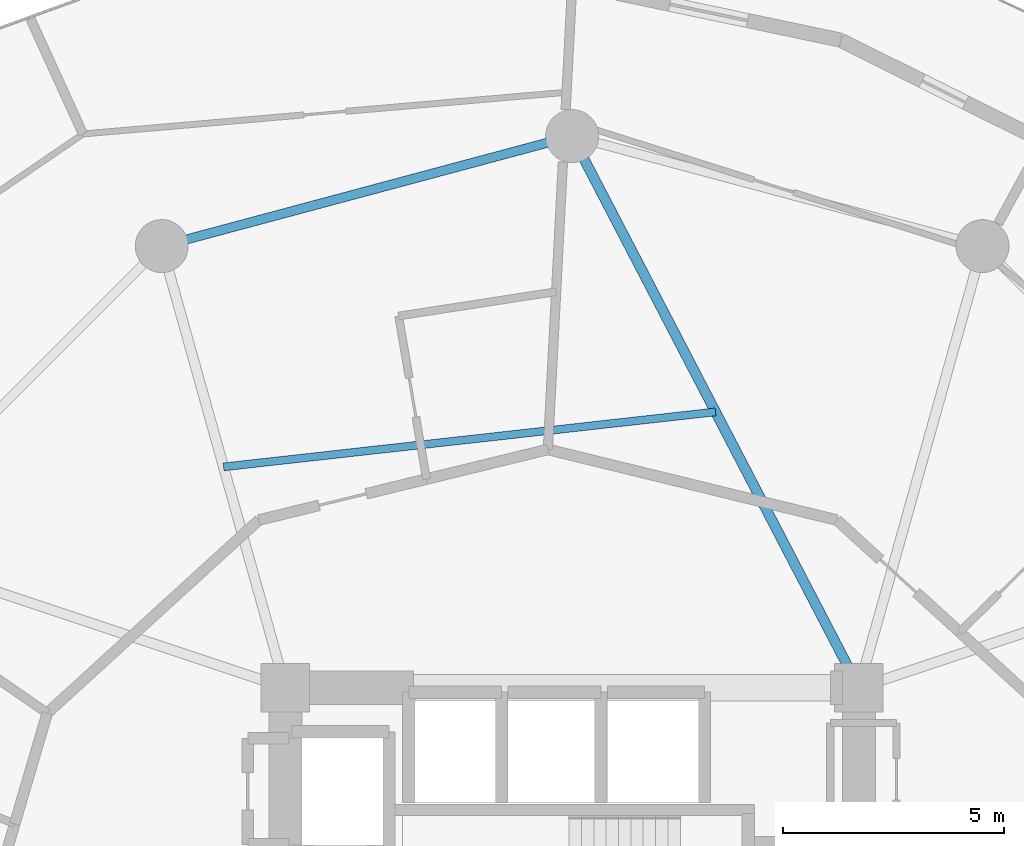
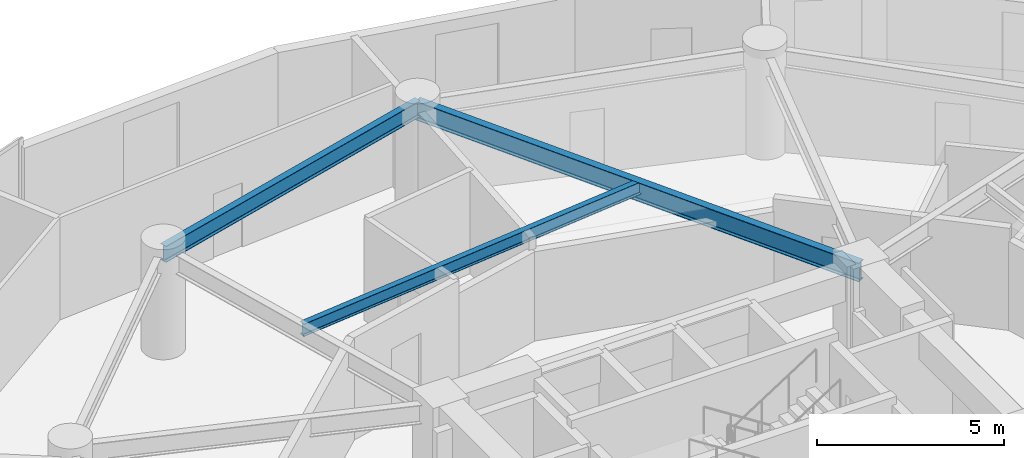
# One storey, part 16 of 26: 3 beams.
"""IFC4 building model written with IfcOpenShell, lengths in metres."""

from ifc_helpers import new_model, si_unit, direction, frame, origin, origin_2d, place, context, subcontext, project, spatial, i_section, extrude, material, material_profile, profile_set, type_object, element, save


model = new_model("IFC4")

# Units and contexts
model_context = context("Model", 3, precision=1e-05, world=origin(), true_north=direction((0.0, 1.0)))
body_context = subcontext(model_context, "Body", "Model", "MODEL_VIEW")
ifc_project = project(units=[si_unit("LENGTHUNIT", "METRE"), si_unit("AREAUNIT", "SQUARE_METRE"), si_unit("VOLUMEUNIT", "CUBIC_METRE"), si_unit("PLANEANGLEUNIT", "RADIAN"), si_unit("MASSUNIT", "GRAM", prefix="KILO")], contexts=[model_context])

# Site, building, storey
site_placement = place(None, origin())
site = spatial("IfcSite", under=ifc_project, at=site_placement, CompositionType="ELEMENT")
building_placement = place(site_placement, origin())
building = spatial("IfcBuilding", under=site, at=building_placement, Name="Solvirekh Grand Hotel", CompositionType="ELEMENT")
storey_placement = place(building_placement, frame((0.0, 0.0, 71.60009765625)))
storey = spatial("IfcBuildingStorey", under=building, at=storey_placement, Name="L17", CompositionType="ELEMENT", Elevation=71.60009765625)

# Beams
ifc_material = material(Name="Steel S355", Category="steel")
ifc_material_profile_1 = material_profile(ifc_material, i_section(OverallWidth=0.22802734375, OverallDepth=0.616943359375, WebThickness=0.012939453125, FlangeThickness=0.02001953125, FilletRadius=0.014892578125, at=origin_2d()), Name="W610X140")
ifc_profile_set_1 = profile_set([ifc_material_profile_1], Name="Steel S355")
beam_type_1 = type_object("IfcBeamType", Name="Beam_Radial_W610", PredefinedType="BEAM", material=ifc_profile_set_1)
beam_1_placement = place(storey_placement, frame((6.5, 6.10009765625, 3.031982421875), z_axis=(-0.461352736642, 0.887216801235, 0.0), x_axis=(-0.887216801235, -0.461352736642, 0.0)))
element("IfcBeam", 1, at=beam_1_placement, inside=storey, type_object=beam_type_1, Name="L17 radial floor beam R04", PredefinedType="BEAM", context=body_context, shape_type="SweptSolid", body=[
    extrude(i_section(OverallWidth=0.22802734375, OverallDepth=0.616943359375, WebThickness=0.012939453125, FlangeThickness=0.02001953125, FilletRadius=0.014892578125, at=origin_2d()), origin(), (0.0, 0.0, 1.0), 14.089111328125),
])
ifc_material_profile_2 = material_profile(ifc_material, i_section(OverallWidth=0.177978515625, OverallDepth=0.406982421875, WebThickness=0.008056640625, FlangeThickness=0.011962890625, FilletRadius=0.011962890625, at=origin_2d()), Name="W410X60")
ifc_profile_set_2 = profile_set([ifc_material_profile_2], Name="Steel S355")
beam_type_2 = type_object("IfcBeamType", Name="Joist_Floor_W410", PredefinedType="JOIST", material=ifc_profile_set_2)
beam_2_placement = place(storey_placement, frame((3.25, 12.35009765625, 3.135986328125), z_axis=(-0.99381294191, -0.111066810937, 0.0), x_axis=(0.111066810937, -0.99381294191, 0.0)))
element("IfcBeam", 2, at=beam_2_placement, inside=storey, type_object=beam_type_2, Name="L17 secondary composite floor joist 4", PredefinedType="JOIST", context=body_context, shape_type="SweptSolid", body=[
    extrude(i_section(OverallWidth=0.177978515625, OverallDepth=0.406982421875, WebThickness=0.008056640625, FlangeThickness=0.011962890625, FilletRadius=0.011962890625, at=origin_2d()), origin(), (0.0, 0.0, 1.0), 11.21923828125),
])
ifc_material_profile_3 = material_profile(ifc_material, i_section(OverallWidth=0.208984375, OverallDepth=0.532958984375, WebThickness=0.010009765625, FlangeThickness=0.014892578125, FilletRadius=0.013916015625, at=origin_2d()), Name="W530X92")
ifc_profile_set_3 = profile_set([ifc_material_profile_3], Name="Steel S355")
beam_type_3 = type_object("IfcBeamType", Name="Spandrel_Ring_W530", PredefinedType="SPANDREL", material=ifc_profile_set_3)
beam_3_placement = place(storey_placement, frame((0.0, 18.60009765625, 3.073974609375), z_axis=(-0.965919414426, -0.258842973314, 0.0), x_axis=(0.258842973314, -0.965919414426, 0.0)))
element("IfcBeam", 3, at=beam_3_placement, inside=storey, type_object=beam_type_3, Name="L17 perimeter spandrel beam 4", PredefinedType="SPANDREL", context=body_context, shape_type="SweptSolid", body=[
    extrude(i_section(OverallWidth=0.208984375, OverallDepth=0.532958984375, WebThickness=0.010009765625, FlangeThickness=0.014892578125, FilletRadius=0.013916015625, at=origin_2d()), origin(), (0.0, 0.0, 1.0), 9.628173828125),
])

save(model, "model.ifc")
